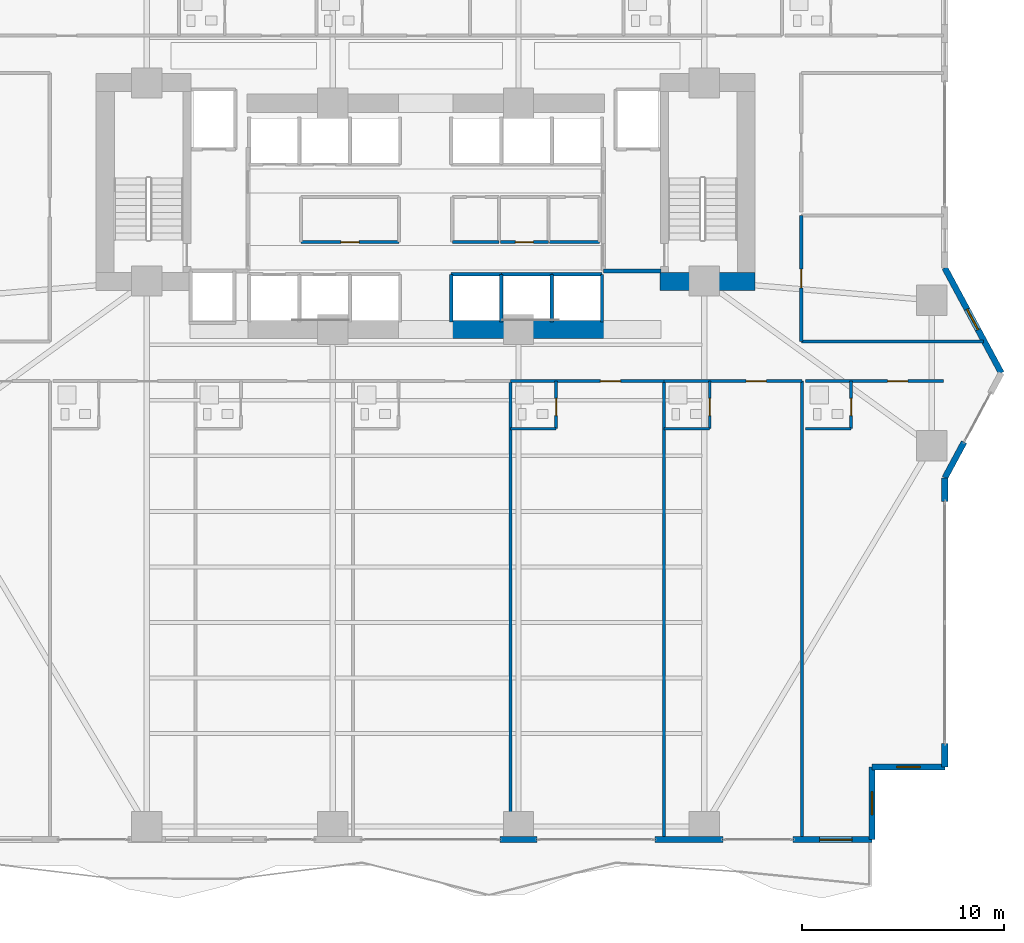
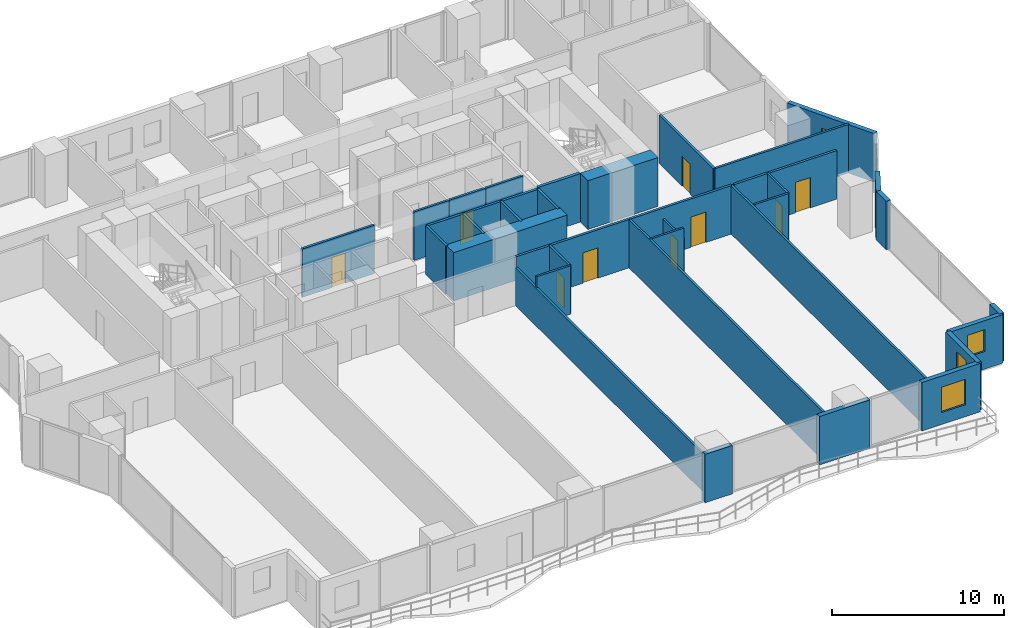
# One storey, part 20 of 28: 37 walls, 9 doors, 4 windows, 13 openings.
"""IFC4 building model written with IfcOpenShell, lengths in metres."""

from ifc_helpers import new_model, si_unit, direction, frame, frame_2d, origin, place, context, subcontext, project, spatial, rectangle, extrude, material, layer, layer_set, type_object, element, fill, save


model = new_model("IFC4")

# Units and contexts
model_context = context("Model", 3, precision=1e-05, world=origin(), true_north=direction((0.0, 1.0)))
body_context = subcontext(model_context, "Body", "Model", "MODEL_VIEW")
ifc_project = project(units=[si_unit("LENGTHUNIT", "METRE"), si_unit("AREAUNIT", "SQUARE_METRE"), si_unit("VOLUMEUNIT", "CUBIC_METRE"), si_unit("PLANEANGLEUNIT", "RADIAN"), si_unit("MASSUNIT", "GRAM", prefix="KILO")], contexts=[model_context])

# Site, building, storey
site_placement = place(None, origin())
site = spatial("IfcSite", under=ifc_project, at=site_placement, CompositionType="ELEMENT")
building_placement = place(site_placement, origin())
building = spatial("IfcBuilding", under=site, at=building_placement, Name="Zuhayl Quay Hotel", CompositionType="ELEMENT")
storey_placement = place(building_placement, frame((0.0, 0.0, 53.14990234375)))
storey = spatial("IfcBuildingStorey", under=building, at=storey_placement, Name="L12", CompositionType="ELEMENT", Elevation=53.14990234375)

# Walls
ifc_material_1 = material(Name="Concrete C70/85", Category="concrete")
ifc_layer_1 = layer(ifc_material_1, 0.89990234375, Name="Concrete C70/85", Category="concrete")
ifc_layer_set_1 = layer_set([ifc_layer_1], Name="Concrete C70/85")
wall_type_1 = type_object("IfcWallType", Name="WL_CORE_900", PredefinedType="SHEAR", material=ifc_layer_set_1)
wall_1_placement = place(storey_placement, frame((11.60009765625, 4.52001953125, 0.0), z_axis=(0.0, 0.0, 1.0), x_axis=(1.0, 0.0, 0.0)))
element("IfcWall", 1, at=wall_1_placement, inside=storey, type_object=wall_type_1, Name="L12 Core Shear Wall CW_SE", PredefinedType="SHEAR", context=body_context, shape_type="SweptSolid", body=[
    extrude(rectangle(XDim=4.7099609375, YDim=0.89990234375, at=frame_2d((2.35498046875, 0.0))), origin(), (0.0, 0.0, 1.0), 3.460205078125),
])
wall_2_placement = place(storey_placement, frame((1.25, 2.14990234375, 0.0), z_axis=(0.0, 0.0, 1.0), x_axis=(1.0, 0.0, 0.0)))
element("IfcWall", 2, at=wall_2_placement, inside=storey, type_object=wall_type_1, Name="L12 Core Shear Wall CW_SC_E", PredefinedType="SHEAR", context=body_context, shape_type="SweptSolid", body=[
    extrude(rectangle(XDim=7.60009765625, YDim=0.89990234375, at=frame_2d((3.800048828125, 0.0))), origin(), (0.0, 0.0, 1.0), 3.43017578125),
])

# Wall, opening, window
ifc_material_2 = material(Name="Precast concrete C45/55", Category="concrete")
ifc_layer_2 = layer(ifc_material_2, 0.300048828125, Name="Precast concrete C45/55", Category="concrete")
ifc_layer_set_2 = layer_set([ifc_layer_2], Name="Precast concrete C45/55")
wall_type_2 = type_object("IfcWallType", Name="WL_EXT_300", PredefinedType="STANDARD", material=ifc_layer_set_2)
wall_3_placement = place(storey_placement, frame((25.699951171875, 5.199951171875, 0.0), z_axis=(0.0, 0.0, 1.0), x_axis=(0.474109683532, -0.880465790352, 0.0)))
wall_3 = element("IfcWall", 3, at=wall_3_placement, inside=storey, type_object=wall_type_2, Name="L12 Exterior Precast Wall ENV_L12_E12_EW1", PredefinedType="STANDARD", context=body_context, shape_type="SweptSolid", body=[
    extrude(rectangle(XDim=5.906005859375, YDim=0.300048828125, at=frame_2d((2.953125, 0.0))), origin(), (0.0, 0.0, 1.0), 3.43017578125),
])
opening_1_placement = place(wall_3_placement, frame((2.32373046875, 0.0, 0.949951171875)))
opening_1 = element("IfcOpeningElement", 4, at=opening_1_placement, cuts=wall_3, Name="Opening W01N", PredefinedType="OPENING", context=body_context, shape_type="SweptSolid", body=[
    extrude(rectangle(XDim=1.14990234375, YDim=1.550048828125, at=frame_2d((0.574951171875, 0.77490234375))), frame((0.0, 0.159912109375, 0.0), z_axis=(0.0, -1.0, 0.0), x_axis=(1.0, 0.0, 0.0)), (0.0, 0.0, 1.0), 0.320068359375),
])
ifc_material_3 = material(Name="Dark Ceramic-Fritted Solar Glass", Category="glass")
window_type_1 = type_object("IfcWindowType", Name="WN_NOTCH_1350", PartitioningType="SINGLE_PANEL", PredefinedType="WINDOW", material=ifc_material_3)
window_1_placement = place(opening_1_placement, origin())
window_1 = element("IfcWindow", 5, at=window_1_placement, inside=storey, type_object=window_type_1, Name="L12 Operable Facade Window 1-1", OverallHeight=1.550048828125, OverallWidth=1.14990234375, PartitioningType="SINGLE_PANEL", PredefinedType="WINDOW", context=body_context, shape_type="SweptSolid", body=[
    extrude(rectangle(XDim=1.14990234375, YDim=1.550048828125, at=frame_2d((0.574951171875, 0.77490234375))), frame((0.0, 0.030029296875, 0.0), z_axis=(0.0, -1.0, 0.0), x_axis=(1.0, 0.0, 0.0)), (0.0, 0.0, 1.0), 0.06005859375),
])
fill(opening_1, window_1)

# Walls
wall_4_placement = place(storey_placement, frame((26.657958984375, -3.4208984375, 0.0), z_axis=(0.0, 0.0, 1.0), x_axis=(-0.474121438562, -0.88045946045, 0.0)))
element("IfcWall", 6, at=wall_4_placement, inside=storey, type_object=wall_type_2, Name="L12 Exterior Precast Wall ENV_L12_E13_EW2", PredefinedType="STANDARD", context=body_context, shape_type="SweptSolid", body=[
    extrude(rectangle(XDim=2.0205078125, YDim=0.300048828125, at=frame_2d((1.01025390625, 0.0))), origin(), (0.0, 0.0, 1.0), 3.43017578125),
])
wall_5_placement = place(storey_placement, frame((25.699951171875, -5.199951171875, 0.0), z_axis=(0.0, 0.0, 1.0), x_axis=(0.0, -1.0, 0.0)))
element("IfcWall", 7, at=wall_5_placement, inside=storey, type_object=wall_type_2, Name="L12 Exterior Precast Wall ENV_L12_E14_EW1", PredefinedType="STANDARD", context=body_context, shape_type="SweptSolid", body=[
    extrude(rectangle(XDim=1.150146484375, YDim=0.300048828125, at=frame_2d((0.5751953125, 0.0))), origin(), (0.0, 0.0, 1.0), 3.43017578125),
])
wall_6_placement = place(storey_placement, frame((25.699951171875, -18.35009765625, 0.0), z_axis=(0.0, 0.0, 1.0), x_axis=(0.0, -1.0, 0.0)))
element("IfcWall", 8, at=wall_6_placement, inside=storey, type_object=wall_type_2, Name="L12 Exterior Precast Wall ENV_L12_E14_EW2", PredefinedType="STANDARD", context=body_context, shape_type="SweptSolid", body=[
    extrude(rectangle(XDim=1.14990234375, YDim=0.300048828125, at=frame_2d((0.574951171875, 0.0))), origin(), (0.0, 0.0, 1.0), 3.43017578125),
])

# Wall, opening, window
wall_7_placement = place(storey_placement, frame((25.699951171875, -19.5, 0.0), z_axis=(0.0, 0.0, 1.0), x_axis=(-1.0, 0.0, 0.0)))
wall_7 = element("IfcWall", 9, at=wall_7_placement, inside=storey, type_object=wall_type_2, Name="L12 Exterior Precast Wall ENV_L12_EW15", PredefinedType="STANDARD", context=body_context, shape_type="SweptSolid", body=[
    extrude(rectangle(XDim=3.599853515625, YDim=0.300048828125, at=frame_2d((1.7998046875, 0.0))), origin(), (0.0, 0.0, 1.0), 3.43017578125),
])
opening_2_placement = place(wall_7_placement, frame((1.22509765625, 0.0, 1.25)))
opening_2 = element("IfcOpeningElement", 10, at=opening_2_placement, cuts=wall_7, Name="Opening W01N", PredefinedType="OPENING", context=body_context, shape_type="SweptSolid", body=[
    extrude(rectangle(XDim=1.14990234375, YDim=1.550048828125, at=frame_2d((0.574951171875, 0.77490234375))), frame((0.0, 0.159912109375, 0.0), z_axis=(0.0, -1.0, 0.0), x_axis=(1.0, 0.0, 0.0)), (0.0, 0.0, 1.0), 0.320068359375),
])
window_2_placement = place(opening_2_placement, origin())
window_2 = element("IfcWindow", 11, at=window_2_placement, inside=storey, type_object=window_type_1, Name="L12 Corner Notch Window 15", OverallHeight=1.550048828125, OverallWidth=1.14990234375, PartitioningType="SINGLE_PANEL", PredefinedType="WINDOW", context=body_context, shape_type="SweptSolid", body=[
    extrude(rectangle(XDim=1.14990234375, YDim=1.550048828125, at=frame_2d((0.574951171875, 0.77490234375))), frame((0.0, 0.030029296875, 0.0), z_axis=(0.0, -1.0, 0.0), x_axis=(1.0, 0.0, 0.0)), (0.0, 0.0, 1.0), 0.06005859375),
])
fill(opening_2, window_2)

wall_8_placement = place(storey_placement, frame((22.10009765625, -19.5, 0.0), z_axis=(0.0, 0.0, 1.0), x_axis=(0.0, -1.0, 0.0)))
wall_8 = element("IfcWall", 12, at=wall_8_placement, inside=storey, type_object=wall_type_2, Name="L12 Exterior Precast Wall ENV_L12_EW16", PredefinedType="STANDARD", context=body_context, shape_type="SweptSolid", body=[
    extrude(rectangle(XDim=3.60009765625, YDim=0.300048828125, at=frame_2d((1.800048828125, 0.0))), origin(), (0.0, 0.0, 1.0), 3.43017578125),
])
opening_3_placement = place(wall_8_placement, frame((1.22509765625, 0.0, 1.25)))
opening_3 = element("IfcOpeningElement", 13, at=opening_3_placement, cuts=wall_8, Name="Opening W01N", PredefinedType="OPENING", context=body_context, shape_type="SweptSolid", body=[
    extrude(rectangle(XDim=1.14990234375, YDim=1.550048828125, at=frame_2d((0.574951171875, 0.77490234375))), frame((0.0, 0.159912109375, 0.0), z_axis=(0.0, -1.0, 0.0), x_axis=(1.0, 0.0, 0.0)), (0.0, 0.0, 1.0), 0.320068359375),
])
window_3_placement = place(opening_3_placement, origin())
window_3 = element("IfcWindow", 14, at=window_3_placement, inside=storey, type_object=window_type_1, Name="L12 Corner Notch Window 16", OverallHeight=1.550048828125, OverallWidth=1.14990234375, PartitioningType="SINGLE_PANEL", PredefinedType="WINDOW", context=body_context, shape_type="SweptSolid", body=[
    extrude(rectangle(XDim=1.14990234375, YDim=1.550048828125, at=frame_2d((0.574951171875, 0.77490234375))), frame((0.0, 0.030029296875, 0.0), z_axis=(0.0, -1.0, 0.0), x_axis=(1.0, 0.0, 0.0)), (0.0, 0.0, 1.0), 0.06005859375),
])
fill(opening_3, window_3)

wall_9_placement = place(storey_placement, frame((22.10009765625, -23.10009765625, 0.0), z_axis=(0.0, 0.0, 1.0), x_axis=(-1.0, 0.0, 0.0)))
wall_9 = element("IfcWall", 15, at=wall_9_placement, inside=storey, type_object=wall_type_2, Name="L12 Exterior Precast Wall ENV_L12_S_EW1", PredefinedType="STANDARD", context=body_context, shape_type="SweptSolid", body=[
    extrude(rectangle(XDim=3.91015625, YDim=0.300048828125, at=frame_2d((1.955078125, 0.0))), origin(), (0.0, 0.0, 1.0), 3.43017578125),
])
opening_4_placement = place(wall_9_placement, frame((0.989990234375, 0.0, 0.85009765625)))
opening_4 = element("IfcOpeningElement", 16, at=opening_4_placement, cuts=wall_9, Name="Opening W01", PredefinedType="OPENING", context=body_context, shape_type="SweptSolid", body=[
    extrude(rectangle(XDim=1.60009765625, YDim=1.800048828125, at=frame_2d((0.800048828125, 0.89990234375))), frame((0.0, 0.159912109375, 0.0), z_axis=(0.0, -1.0, 0.0), x_axis=(1.0, 0.0, 0.0)), (0.0, 0.0, 1.0), 0.320068359375),
])
window_type_2 = type_object("IfcWindowType", Name="WN_OPERABLE_1600", PartitioningType="DOUBLE_PANEL_VERTICAL", PredefinedType="WINDOW", material=ifc_material_3)
window_4_placement = place(opening_4_placement, origin())
window_4 = element("IfcWindow", 17, at=window_4_placement, inside=storey, type_object=window_type_2, Name="L12 Operable Facade Window 1-1", OverallHeight=1.800048828125, OverallWidth=1.60009765625, PartitioningType="SINGLE_PANEL", PredefinedType="WINDOW", context=body_context, shape_type="SweptSolid", body=[
    extrude(rectangle(XDim=1.60009765625, YDim=1.800048828125, at=frame_2d((0.800048828125, 0.89990234375))), frame((0.0, 0.030029296875, 0.0), z_axis=(0.0, -1.0, 0.0), x_axis=(1.0, 0.0, 0.0)), (0.0, 0.0, 1.0), 0.06005859375),
])
fill(opening_4, window_4)

# Walls
wall_10_placement = place(storey_placement, frame((14.719970703125, -23.10009765625, 0.0), z_axis=(0.0, 0.0, 1.0), x_axis=(-1.0, 0.0, 0.0)))
element("IfcWall", 18, at=wall_10_placement, inside=storey, type_object=wall_type_2, Name="L12 Exterior Precast Wall ENV_L12_S_EW2", PredefinedType="STANDARD", context=body_context, shape_type="SweptSolid", body=[
    extrude(rectangle(XDim=3.369873046875, YDim=0.300048828125, at=frame_2d((1.68505859375, 0.0))), origin(), (0.0, 0.0, 1.0), 3.43017578125),
])
wall_11_placement = place(storey_placement, frame((5.52001953125, -23.10009765625, 0.0), z_axis=(0.0, 0.0, 1.0), x_axis=(-1.0, 0.0, 0.0)))
element("IfcWall", 19, at=wall_11_placement, inside=storey, type_object=wall_type_2, Name="L12 Exterior Precast Wall ENV_L12_S_EW3", PredefinedType="STANDARD", context=body_context, shape_type="SweptSolid", body=[
    extrude(rectangle(XDim=1.840087890625, YDim=0.300048828125, at=frame_2d((0.919921875, 0.0))), origin(), (0.0, 0.0, 1.0), 3.43017578125),
])

# Wall, opening, door
ifc_material_4 = material(Name="Acoustic Gypsum Partition STC-58")
ifc_layer_3 = layer(ifc_material_4, 0.14990234375, Name="Acoustic Gypsum Partition STC-58")
ifc_layer_set_3 = layer_set([ifc_layer_3], Name="Acoustic Gypsum Partition STC-58")
wall_type_3 = type_object("IfcWallType", Name="WL_PART_150", PredefinedType="PARTITIONING", material=ifc_layer_set_3)
wall_12_placement = place(storey_placement, frame((-6.159912109375, 6.47998046875, 0.0), z_axis=(0.0, 0.0, 1.0), x_axis=(1.0, 0.0, 0.0)))
wall_12 = element("IfcWall", 20, at=wall_12_placement, inside=storey, type_object=wall_type_3, Name="L12 Partition IW_L12_CORE_SV_S", PredefinedType="PARTITIONING", context=body_context, shape_type="SweptSolid", body=[
    extrude(rectangle(XDim=4.83984375, YDim=0.14990234375, at=frame_2d((2.419921875, 0.0))), origin(), (0.0, 0.0, 1.0), 3.43017578125),
])
opening_5_placement = place(wall_12_placement, frame((1.969970703125, 0.0, 0.0)))
opening_5 = element("IfcOpeningElement", 21, at=opening_5_placement, cuts=wall_12, Name="Opening D06", PredefinedType="OPENING", context=body_context, shape_type="SweptSolid", body=[
    extrude(rectangle(XDim=0.89990234375, YDim=2.14990234375, at=frame_2d((0.449951171875, 1.074951171875))), frame((0.0, 0.0849609375, 0.0), z_axis=(0.0, -1.0, 0.0), x_axis=(1.0, 0.0, 0.0)), (0.0, 0.0, 1.0), 0.169921875),
])
ifc_material_5 = material(Name="Steel ASTM A992 Grade 50", Category="steel")
door_type_1 = type_object("IfcDoorType", Name="DR_INT_900", OperationType="NOTDEFINED", PredefinedType="DOOR", material=ifc_material_5)
door_1_placement = place(opening_5_placement, origin())
door_1 = element("IfcDoor", 22, at=door_1_placement, inside=storey, type_object=door_type_1, Name="L12 Core Ice and Linen Store Door", OperationType="SINGLE_SWING_LEFT", OverallHeight=2.14990234375, OverallWidth=0.89990234375, PredefinedType="DOOR", context=body_context, shape_type="SweptSolid", body=[
    extrude(rectangle(XDim=0.89990234375, YDim=2.14990234375, at=frame_2d((0.449951171875, 1.074951171875))), frame((0.0, 0.02490234375, 0.0), z_axis=(0.0, -1.0, 0.0), x_axis=(1.0, 0.0, 0.0)), (0.0, 0.0, 1.0), 0.050048828125),
])
fill(opening_5, door_1)

wall_13_placement = place(storey_placement, frame((3.699951171875, 6.47998046875, 0.0), z_axis=(0.0, 0.0, 1.0), x_axis=(1.0, 0.0, 0.0)))
wall_13 = element("IfcWall", 23, at=wall_13_placement, inside=storey, type_object=wall_type_3, Name="L12 Partition IW_L12_CORE_E2_S", PredefinedType="PARTITIONING", context=body_context, shape_type="SweptSolid", body=[
    extrude(rectangle(XDim=2.380126953125, YDim=0.14990234375, at=frame_2d((1.18994140625, 0.0))), origin(), (0.0, 0.0, 1.0), 3.43017578125),
])
opening_6_placement = place(wall_13_placement, frame((0.739990234375, 0.0, 0.0)))
opening_6 = element("IfcOpeningElement", 24, at=opening_6_placement, cuts=wall_13, Name="Opening D06", PredefinedType="OPENING", context=body_context, shape_type="SweptSolid", body=[
    extrude(rectangle(XDim=0.89990234375, YDim=2.14990234375, at=frame_2d((0.449951171875, 1.074951171875))), frame((0.0, 0.0849609375, 0.0), z_axis=(0.0, -1.0, 0.0), x_axis=(1.0, 0.0, 0.0)), (0.0, 0.0, 1.0), 0.169921875),
])
door_2_placement = place(opening_6_placement, origin())
door_2 = element("IfcDoor", 25, at=door_2_placement, inside=storey, type_object=door_type_1, Name="L12 Data Closet Door", OperationType="SINGLE_SWING_LEFT", OverallHeight=2.14990234375, OverallWidth=0.89990234375, PredefinedType="DOOR", context=body_context, shape_type="SweptSolid", body=[
    extrude(rectangle(XDim=0.89990234375, YDim=2.14990234375, at=frame_2d((0.449951171875, 1.074951171875))), frame((0.0, 0.02490234375, 0.0), z_axis=(0.0, -1.0, 0.0), x_axis=(1.0, 0.0, 0.0)), (0.0, 0.0, 1.0), 0.050048828125),
])
fill(opening_6, door_2)

# Walls
wall_14_placement = place(storey_placement, frame((1.320068359375, 6.47998046875, 0.0), z_axis=(0.0, 0.0, 1.0), x_axis=(1.0, 0.0, 0.0)))
element("IfcWall", 26, at=wall_14_placement, inside=storey, type_object=wall_type_3, Name="L12 Partition IW_L12_CORE_E1_S", PredefinedType="PARTITIONING", context=body_context, shape_type="SweptSolid", body=[
    extrude(rectangle(XDim=2.31982421875, YDim=0.14990234375, at=frame_2d((1.159912109375, 0.0))), origin(), (0.0, 0.0, 1.0), 3.43017578125),
])
wall_15_placement = place(storey_placement, frame((6.139892578125, 6.47998046875, 0.0), z_axis=(0.0, 0.0, 1.0), x_axis=(1.0, 0.0, 0.0)))
element("IfcWall", 27, at=wall_15_placement, inside=storey, type_object=wall_type_3, Name="L12 Partition IW_L12_CORE_E3_S", PredefinedType="PARTITIONING", context=body_context, shape_type="SweptSolid", body=[
    extrude(rectangle(XDim=2.47021484375, YDim=0.14990234375, at=frame_2d((1.235107421875, 0.0))), origin(), (0.0, 0.0, 1.0), 3.43017578125),
])
wall_16_placement = place(storey_placement, frame((4.199951171875, -23.02001953125, 0.0), z_axis=(0.0, 0.0, 1.0), x_axis=(0.0, 1.0, 0.0)))
element("IfcWall", 28, at=wall_16_placement, inside=storey, type_object=wall_type_3, Name="L12 Partition IW_L12_SU03_E", PredefinedType="PARTITIONING", context=body_context, shape_type="SweptSolid", body=[
    extrude(rectangle(XDim=22.6201171875, YDim=0.14990234375, at=frame_2d((11.31005859375, 0.0))), origin(), (0.0, 0.0, 1.0), 2.668212890625),
])
for number, where, z_axis, x_axis, name in (
    (29, (11.800048828125, -23.02001953125, 0.0), (0.0, 0.0, 1.0), (0.0, 1.0, 0.0), "L12 Partition IW_L12_SU04_E"),
    (30, (18.639892578125, -23.02001953125, 0.0), (0.0, 0.0, 1.0), (0.0, 1.0, 0.0), "L12 Partition IW_L12_SU05A_E"),
):
    element("IfcWall", number, at=place(storey_placement, frame(where, z_axis=z_axis, x_axis=x_axis)), inside=storey, type_object=wall_type_3, Name=name, PredefinedType="PARTITIONING", context=body_context, shape_type="SweptSolid", body=[
        extrude(rectangle(XDim=22.6201171875, YDim=0.14990234375, at=frame_2d((11.31005859375, 0.0))), origin(), (0.0, 0.0, 1.0), 3.43017578125),
    ])
wall_17_placement = place(storey_placement, frame((18.60009765625, 1.550048828125, 0.0), z_axis=(0.0, 0.0, 1.0), x_axis=(1.0, 0.0, 0.0)))
element("IfcWall", 31, at=wall_17_placement, inside=storey, type_object=wall_type_3, Name="L12 Partition IW_L12_HK_MAIN_S", PredefinedType="PARTITIONING", context=body_context, shape_type="SweptSolid", body=[
    extrude(rectangle(XDim=9.00537109375, YDim=0.14990234375, at=frame_2d((4.502685546875, 0.0))), origin(), (0.0, 0.0, 1.0), 3.43017578125),
])

# Wall, opening, door
ifc_layer_4 = layer(ifc_material_4, 0.159912109375, Name="Acoustic Gypsum Partition STC-58")
ifc_layer_set_4 = layer_set([ifc_layer_4], Name="Acoustic Gypsum Partition STC-58")
wall_type_4 = type_object("IfcWallType", Name="WL_PART_CORR_160", PredefinedType="PARTITIONING", material=ifc_layer_set_4)
wall_18_placement = place(storey_placement, frame((4.199951171875, -0.39990234375, 0.0), z_axis=(0.0, 0.0, 1.0), x_axis=(1.0, 0.0, 0.0)))
wall_18 = element("IfcWall", 32, at=wall_18_placement, inside=storey, type_object=wall_type_4, Name="L12 Partition IW_L12_SU04_COR", PredefinedType="PARTITIONING", context=body_context, shape_type="SweptSolid", body=[
    extrude(rectangle(XDim=7.60009765625, YDim=0.159912109375, at=frame_2d((3.800048828125, 0.0))), origin(), (0.0, 0.0, 1.0), 3.43017578125),
])
opening_7_placement = place(wall_18_placement, frame((4.449951171875, 0.0, 0.0)))
opening_7 = element("IfcOpeningElement", 33, at=opening_7_placement, cuts=wall_18, Name="Opening D03L", PredefinedType="OPENING", context=body_context, shape_type="SweptSolid", body=[
    extrude(rectangle(XDim=1.0, YDim=2.14990234375, at=frame_2d((0.5, 1.074951171875))), frame((0.0, 0.08984375, 0.0), z_axis=(0.0, -1.0, 0.0), x_axis=(1.0, 0.0, 0.0)), (0.0, 0.0, 1.0), 0.179931640625),
])
ifc_material_6 = material(Name="Solid Walnut Acoustic Fire Door")
door_type_2 = type_object("IfcDoorType", Name="DR_SUITE_1000", OperationType="NOTDEFINED", PredefinedType="DOOR", material=ifc_material_6)
door_3_placement = place(opening_7_placement, origin())
door_3 = element("IfcDoor", 34, at=door_3_placement, inside=storey, type_object=door_type_2, Name="L12 City-View Junior Suite L12-04 Entrance Door", OperationType="SINGLE_SWING_LEFT", OverallHeight=2.14990234375, OverallWidth=1.0, PredefinedType="DOOR", context=body_context, shape_type="SweptSolid", body=[
    extrude(rectangle(XDim=1.0, YDim=2.14990234375, at=frame_2d((0.5, 1.074951171875))), frame((0.0, 0.02490234375, 0.0), z_axis=(0.0, -1.0, 0.0), x_axis=(1.0, 0.0, 0.0)), (0.0, 0.0, 1.0), 0.050048828125),
])
fill(opening_7, door_3)

wall_19_placement = place(storey_placement, frame((11.800048828125, -0.39990234375, 0.0), z_axis=(0.0, 0.0, 1.0), x_axis=(1.0, 0.0, 0.0)))
wall_19 = element("IfcWall", 35, at=wall_19_placement, inside=storey, type_object=wall_type_4, Name="L12 Partition IW_L12_SU05A_COR", PredefinedType="PARTITIONING", context=body_context, shape_type="SweptSolid", body=[
    extrude(rectangle(XDim=6.83984375, YDim=0.159912109375, at=frame_2d((3.419921875, 0.0))), origin(), (0.0, 0.0, 1.0), 3.43017578125),
])
opening_8_placement = place(wall_19_placement, frame((4.070068359375, 0.0, 0.0)))
opening_8 = element("IfcOpeningElement", 36, at=opening_8_placement, cuts=wall_19, Name="Opening D03L", PredefinedType="OPENING", context=body_context, shape_type="SweptSolid", body=[
    extrude(rectangle(XDim=1.0, YDim=2.14990234375, at=frame_2d((0.5, 1.074951171875))), frame((0.0, 0.08984375, 0.0), z_axis=(0.0, -1.0, 0.0), x_axis=(1.0, 0.0, 0.0)), (0.0, 0.0, 1.0), 0.179931640625),
])
door_4_placement = place(opening_8_placement, origin())
door_4 = element("IfcDoor", 37, at=door_4_placement, inside=storey, type_object=door_type_2, Name="L12 Premier Twin Junior Suite L12-05A Entrance Door", OperationType="SINGLE_SWING_LEFT", OverallHeight=2.14990234375, OverallWidth=1.0, PredefinedType="DOOR", context=body_context, shape_type="SweptSolid", body=[
    extrude(rectangle(XDim=1.0, YDim=2.14990234375, at=frame_2d((0.5, 1.074951171875))), frame((0.0, 0.02490234375, 0.0), z_axis=(0.0, -1.0, 0.0), x_axis=(1.0, 0.0, 0.0)), (0.0, 0.0, 1.0), 0.050048828125),
])
fill(opening_8, door_4)

wall_20_placement = place(storey_placement, frame((18.800048828125, -0.39990234375, 0.0), z_axis=(0.0, 0.0, 1.0), x_axis=(1.0, 0.0, 0.0)))
wall_20 = element("IfcWall", 38, at=wall_20_placement, inside=storey, type_object=wall_type_4, Name="L12 Partition IW_L12_SU05B_COR", PredefinedType="PARTITIONING", context=body_context, shape_type="SweptSolid", body=[
    extrude(rectangle(XDim=6.83984375, YDim=0.159912109375, at=frame_2d((3.419921875, 0.0))), origin(), (0.0, 0.0, 1.0), 3.43017578125),
])
opening_9_placement = place(wall_20_placement, frame((4.070068359375, 0.0, 0.0)))
opening_9 = element("IfcOpeningElement", 39, at=opening_9_placement, cuts=wall_20, Name="Opening D03L", PredefinedType="OPENING", context=body_context, shape_type="SweptSolid", body=[
    extrude(rectangle(XDim=1.0, YDim=2.14990234375, at=frame_2d((0.5, 1.074951171875))), frame((0.0, 0.08984375, 0.0), z_axis=(0.0, -1.0, 0.0), x_axis=(1.0, 0.0, 0.0)), (0.0, 0.0, 1.0), 0.179931640625),
])
door_5_placement = place(opening_9_placement, origin())
door_5 = element("IfcDoor", 40, at=door_5_placement, inside=storey, type_object=door_type_2, Name="L12 Premier Twin Junior Suite L12-05B Entrance Door", OperationType="SINGLE_SWING_LEFT", OverallHeight=2.14990234375, OverallWidth=1.0, PredefinedType="DOOR", context=body_context, shape_type="SweptSolid", body=[
    extrude(rectangle(XDim=1.0, YDim=2.14990234375, at=frame_2d((0.5, 1.074951171875))), frame((0.0, 0.02490234375, 0.0), z_axis=(0.0, -1.0, 0.0), x_axis=(1.0, 0.0, 0.0)), (0.0, 0.0, 1.0), 0.050048828125),
])
fill(opening_9, door_5)

wall_21_placement = place(storey_placement, frame((18.60009765625, 1.550048828125, 0.0), z_axis=(0.0, 0.0, 1.0), x_axis=(0.0, 1.0, 0.0)))
wall_21 = element("IfcWall", 41, at=wall_21_placement, inside=storey, type_object=wall_type_4, Name="L12 Partition IW_L12_HK_MAIN_W", PredefinedType="PARTITIONING", context=body_context, shape_type="SweptSolid", body=[
    extrude(rectangle(XDim=6.25, YDim=0.159912109375, at=frame_2d((3.125, 0.0))), origin(), (0.0, 0.0, 1.0), 3.43017578125),
])
opening_10_placement = place(wall_21_placement, frame((2.6650390625, 0.0, 0.0)))
opening_10 = element("IfcOpeningElement", 42, at=opening_10_placement, cuts=wall_21, Name="Opening D05", PredefinedType="OPENING", context=body_context, shape_type="SweptSolid", body=[
    extrude(rectangle(XDim=0.919921875, YDim=2.1201171875, at=frame_2d((0.4599609375, 1.06005859375))), frame((0.0, 0.08984375, 0.0), z_axis=(0.0, -1.0, 0.0), x_axis=(1.0, 0.0, 0.0)), (0.0, 0.0, 1.0), 0.179931640625),
])
door_type_3 = type_object("IfcDoorType", Name="DR_INT_950", OperationType="NOTDEFINED", PredefinedType="DOOR", material=ifc_material_6)
door_6_placement = place(opening_10_placement, origin())
door_6 = element("IfcDoor", 43, at=door_6_placement, inside=storey, type_object=door_type_3, Name="L12 Housekeeping and Linen Room Door", OperationType="SINGLE_SWING_RIGHT", OverallHeight=2.1201171875, OverallWidth=0.919921875, PredefinedType="DOOR", context=body_context, shape_type="SweptSolid", body=[
    extrude(rectangle(XDim=0.919921875, YDim=2.1201171875, at=frame_2d((0.4599609375, 1.06005859375))), frame((0.0, 0.02490234375, 0.0), z_axis=(0.0, -1.0, 0.0), x_axis=(1.0, 0.0, 0.0)), (0.0, 0.0, 1.0), 0.050048828125),
])
fill(opening_10, door_6)

ifc_material_7 = material(Name="Moisture-Resistant Sanitarychase Gypsum")
ifc_layer_5 = layer(ifc_material_7, 0.135009765625, Name="Moisture-Resistant Sanitarychase Gypsum")
ifc_layer_set_5 = layer_set([ifc_layer_5], Name="Moisture-Resistant Sanitarychase Gypsum")
wall_type_5 = type_object("IfcWallType", Name="WL_PART_PLUMB_150", PredefinedType="PLUMBINGWALL", material=ifc_layer_set_5)
wall_22_placement = place(storey_placement, frame((6.4599609375, -2.760009765625, 0.0), z_axis=(0.0, 0.0, 1.0), x_axis=(0.0, 1.0, 0.0)))
wall_22 = element("IfcWall", 44, at=wall_22_placement, inside=storey, type_object=wall_type_5, Name="L12 Partition IW_L12_SU04_BE", PredefinedType="PLUMBINGWALL", context=body_context, shape_type="SweptSolid", body=[
    extrude(rectangle(XDim=2.360107421875, YDim=0.135009765625, at=frame_2d((1.18017578125, 0.0))), origin(), (0.0, 0.0, 1.0), 3.43017578125),
])
opening_11_placement = place(wall_22_placement, frame((0.64990234375, 0.0, 0.0)))
opening_11 = element("IfcOpeningElement", 45, at=opening_11_placement, cuts=wall_22, Name="Opening D04", PredefinedType="OPENING", context=body_context, shape_type="SweptSolid", body=[
    extrude(rectangle(XDim=0.85009765625, YDim=2.10009765625, at=frame_2d((0.425048828125, 1.050048828125))), frame((0.0, 0.077392578125, 0.0), z_axis=(0.0, -1.0, 0.0), x_axis=(1.0, 0.0, 0.0)), (0.0, 0.0, 1.0), 0.155029296875),
])
ifc_material_8 = material(Name="Moisture-Resistant Walnut Veneer")
door_type_4 = type_object("IfcDoorType", Name="DR_BATH_850", OperationType="NOTDEFINED", PredefinedType="DOOR", material=ifc_material_8)
door_7_placement = place(opening_11_placement, origin())
door_7 = element("IfcDoor", 46, at=door_7_placement, inside=storey, type_object=door_type_4, Name="L12 City-View Junior Suite L12-04 En-Suite Door", OperationType="SINGLE_SWING_RIGHT", OverallHeight=2.10009765625, OverallWidth=0.85009765625, PredefinedType="DOOR", context=body_context, shape_type="SweptSolid", body=[
    extrude(rectangle(XDim=0.85009765625, YDim=2.10009765625, at=frame_2d((0.425048828125, 1.050048828125))), frame((0.0, 0.02490234375, 0.0), z_axis=(0.0, -1.0, 0.0), x_axis=(1.0, 0.0, 0.0)), (0.0, 0.0, 1.0), 0.050048828125),
])
fill(opening_11, door_7)

wall_23_placement = place(storey_placement, frame((14.06005859375, -2.760009765625, 0.0), z_axis=(0.0, 0.0, 1.0), x_axis=(0.0, 1.0, 0.0)))
wall_23 = element("IfcWall", 47, at=wall_23_placement, inside=storey, type_object=wall_type_5, Name="L12 Partition IW_L12_SU05A_BE", PredefinedType="PLUMBINGWALL", context=body_context, shape_type="SweptSolid", body=[
    extrude(rectangle(XDim=2.360107421875, YDim=0.135009765625, at=frame_2d((1.18017578125, 0.0))), origin(), (0.0, 0.0, 1.0), 2.668212890625),
])
opening_12_placement = place(wall_23_placement, frame((0.64990234375, 0.0, 0.0)))
opening_12 = element("IfcOpeningElement", 48, at=opening_12_placement, cuts=wall_23, Name="Opening D04", PredefinedType="OPENING", context=body_context, shape_type="SweptSolid", body=[
    extrude(rectangle(XDim=0.85009765625, YDim=2.10009765625, at=frame_2d((0.425048828125, 1.050048828125))), frame((0.0, 0.077392578125, 0.0), z_axis=(0.0, -1.0, 0.0), x_axis=(1.0, 0.0, 0.0)), (0.0, 0.0, 1.0), 0.155029296875),
])
door_8_placement = place(opening_12_placement, origin())
door_8 = element("IfcDoor", 49, at=door_8_placement, inside=storey, type_object=door_type_4, Name="L12 Premier Twin Junior Suite L12-05A En-Suite Door", OperationType="SINGLE_SWING_RIGHT", OverallHeight=2.10009765625, OverallWidth=0.85009765625, PredefinedType="DOOR", context=body_context, shape_type="SweptSolid", body=[
    extrude(rectangle(XDim=0.85009765625, YDim=2.10009765625, at=frame_2d((0.425048828125, 1.050048828125))), frame((0.0, 0.02490234375, 0.0), z_axis=(0.0, -1.0, 0.0), x_axis=(1.0, 0.0, 0.0)), (0.0, 0.0, 1.0), 0.050048828125),
])
fill(opening_12, door_8)

wall_24_placement = place(storey_placement, frame((21.06005859375, -2.760009765625, 0.0), z_axis=(0.0, 0.0, 1.0), x_axis=(0.0, 1.0, 0.0)))
wall_24 = element("IfcWall", 50, at=wall_24_placement, inside=storey, type_object=wall_type_5, Name="L12 Partition IW_L12_SU05B_BE", PredefinedType="PLUMBINGWALL", context=body_context, shape_type="SweptSolid", body=[
    extrude(rectangle(XDim=2.360107421875, YDim=0.135009765625, at=frame_2d((1.18017578125, 0.0))), origin(), (0.0, 0.0, 1.0), 3.43017578125),
])
opening_13_placement = place(wall_24_placement, frame((0.64990234375, 0.0, 0.0)))
opening_13 = element("IfcOpeningElement", 51, at=opening_13_placement, cuts=wall_24, Name="Opening D04", PredefinedType="OPENING", context=body_context, shape_type="SweptSolid", body=[
    extrude(rectangle(XDim=0.85009765625, YDim=2.10009765625, at=frame_2d((0.425048828125, 1.050048828125))), frame((0.0, 0.077392578125, 0.0), z_axis=(0.0, -1.0, 0.0), x_axis=(1.0, 0.0, 0.0)), (0.0, 0.0, 1.0), 0.155029296875),
])
door_9_placement = place(opening_13_placement, origin())
door_9 = element("IfcDoor", 52, at=door_9_placement, inside=storey, type_object=door_type_4, Name="L12 Premier Twin Junior Suite L12-05B En-Suite Door", OperationType="SINGLE_SWING_RIGHT", OverallHeight=2.10009765625, OverallWidth=0.85009765625, PredefinedType="DOOR", context=body_context, shape_type="SweptSolid", body=[
    extrude(rectangle(XDim=0.85009765625, YDim=2.10009765625, at=frame_2d((0.425048828125, 1.050048828125))), frame((0.0, 0.02490234375, 0.0), z_axis=(0.0, -1.0, 0.0), x_axis=(1.0, 0.0, 0.0)), (0.0, 0.0, 1.0), 0.050048828125),
])
fill(opening_13, door_9)

# Walls
for number, where, z_axis, x_axis, name in (
    (53, (4.199951171875, -2.760009765625, 0.0), (0.0, 0.0, 1.0), (1.0, 0.0, 0.0), "L12 Partition IW_L12_SU04_BS"),
    (54, (11.800048828125, -2.760009765625, 0.0), (0.0, 0.0, 1.0), (1.0, 0.0, 0.0), "L12 Partition IW_L12_SU05A_BS"),
    (55, (18.800048828125, -2.760009765625, 0.0), (0.0, 0.0, 1.0), (1.0, 0.0, 0.0), "L12 Partition IW_L12_SU05B_BS"),
):
    element("IfcWall", number, at=place(storey_placement, frame(where, z_axis=z_axis, x_axis=x_axis)), inside=storey, type_object=wall_type_5, Name=name, PredefinedType="PLUMBINGWALL", context=body_context, shape_type="SweptSolid", body=[
        extrude(rectangle(XDim=2.260009765625, YDim=0.135009765625, at=frame_2d((1.1298828125, 0.0))), origin(), (0.0, 0.0, 1.0), 3.43017578125),
    ])
ifc_material_9 = material(Name="Gypsum Fireboard Assembly EI-90")
ifc_layer_6 = layer(ifc_material_9, 0.1650390625, Name="Gypsum Fireboard Assembly EI-90")
ifc_layer_set_6 = layer_set([ifc_layer_6], Name="Gypsum Fireboard Assembly EI-90")
wall_type_6 = type_object("IfcWallType", Name="WL_PART_SHAFT_160", PredefinedType="PARTITIONING", material=ifc_layer_set_6)
wall_25_placement = place(storey_placement, frame((1.27001953125, 4.8798828125, 0.0), z_axis=(0.0, 0.0, 1.0), x_axis=(1.0, 0.0, 0.0)))
element("IfcWall", 56, at=wall_25_placement, inside=storey, type_object=wall_type_6, Name="L12 Partition IW_L12_SH_MP2_F", PredefinedType="PARTITIONING", context=body_context, shape_type="SweptSolid", body=[
    extrude(rectangle(XDim=2.47998046875, YDim=0.1650390625, at=frame_2d((1.239990234375, 0.0))), origin(), (0.0, 0.0, 1.0), 3.43017578125),
])
for number, where, z_axis, x_axis, name in (
    (57, (1.27001953125, 2.52001953125, 0.0), (0.0, 0.0, 1.0), (0.0, 1.0, 0.0), "L12 Partition IW_L12_SH_MP2_W"),
    (58, (3.75, 2.52001953125, 0.0), (0.0, 0.0, 1.0), (0.0, 1.0, 0.0), "L12 Partition IW_L12_SH_MP2_E"),
):
    element("IfcWall", number, at=place(storey_placement, frame(where, z_axis=z_axis, x_axis=x_axis)), inside=storey, type_object=wall_type_6, Name=name, PredefinedType="PARTITIONING", context=body_context, shape_type="SweptSolid", body=[
        extrude(rectangle(XDim=2.35986328125, YDim=0.1650390625, at=frame_2d((1.179931640625, 0.0))), origin(), (0.0, 0.0, 1.0), 3.43017578125),
    ])
wall_26_placement = place(storey_placement, frame((3.75, 4.8798828125, 0.0), z_axis=(0.0, 0.0, 1.0), x_axis=(1.0, 0.0, 0.0)))
element("IfcWall", 59, at=wall_26_placement, inside=storey, type_object=wall_type_6, Name="L12 Partition IW_L12_SH_HP1_F", PredefinedType="PARTITIONING", context=body_context, shape_type="SweptSolid", body=[
    extrude(rectangle(XDim=2.5, YDim=0.1650390625, at=frame_2d((1.25, 0.0))), origin(), (0.0, 0.0, 1.0), 3.43017578125),
])
wall_27_placement = place(storey_placement, frame((6.25, 2.52001953125, 0.0), z_axis=(0.0, 0.0, 1.0), x_axis=(0.0, 1.0, 0.0)))
element("IfcWall", 60, at=wall_27_placement, inside=storey, type_object=wall_type_6, Name="L12 Partition IW_L12_SH_HP1_E", PredefinedType="PARTITIONING", context=body_context, shape_type="SweptSolid", body=[
    extrude(rectangle(XDim=2.35986328125, YDim=0.1650390625, at=frame_2d((1.179931640625, 0.0))), origin(), (0.0, 0.0, 1.0), 3.43017578125),
])
wall_28_placement = place(storey_placement, frame((6.25, 4.8798828125, 0.0), z_axis=(0.0, 0.0, 1.0), x_axis=(1.0, 0.0, 0.0)))
element("IfcWall", 61, at=wall_28_placement, inside=storey, type_object=wall_type_6, Name="L12 Partition IW_L12_SH_HP2_F", PredefinedType="PARTITIONING", context=body_context, shape_type="SweptSolid", body=[
    extrude(rectangle(XDim=2.47998046875, YDim=0.1650390625, at=frame_2d((1.239990234375, 0.0))), origin(), (0.0, 0.0, 1.0), 3.43017578125),
])
wall_29_placement = place(storey_placement, frame((8.72998046875, 2.52001953125, 0.0), z_axis=(0.0, 0.0, 1.0), x_axis=(0.0, 1.0, 0.0)))
element("IfcWall", 62, at=wall_29_placement, inside=storey, type_object=wall_type_6, Name="L12 Partition IW_L12_SH_HP2_E", PredefinedType="PARTITIONING", context=body_context, shape_type="SweptSolid", body=[
    extrude(rectangle(XDim=2.35986328125, YDim=0.1650390625, at=frame_2d((1.179931640625, 0.0))), origin(), (0.0, 0.0, 1.0), 3.43017578125),
])
ifc_material_10 = material(Name="Gypsum Fireboard Assembly EI-120")
ifc_layer_7 = layer(ifc_material_10, 0.199951171875, Name="Gypsum Fireboard Assembly EI-120")
ifc_layer_set_7 = layer_set([ifc_layer_7], Name="Gypsum Fireboard Assembly EI-120")
wall_type_7 = type_object("IfcWallType", Name="WL_PART_SHAFT_200", PredefinedType="PARTITIONING", material=ifc_layer_set_7)
wall_30_placement = place(storey_placement, frame((8.800048828125, 5.050048828125, 0.0), z_axis=(0.0, 0.0, 1.0), x_axis=(1.0, 0.0, 0.0)))
element("IfcWall", 63, at=wall_30_placement, inside=storey, type_object=wall_type_7, Name="L12 Partition IW_L12_FSAE_E_S", PredefinedType="PARTITIONING", context=body_context, shape_type="SweptSolid", body=[
    extrude(rectangle(XDim=2.849853515625, YDim=0.199951171875, at=frame_2d((1.4248046875, 0.0))), origin(), (0.0, 0.0, 1.0), 3.43017578125),
])

save(model, "model.ifc")
